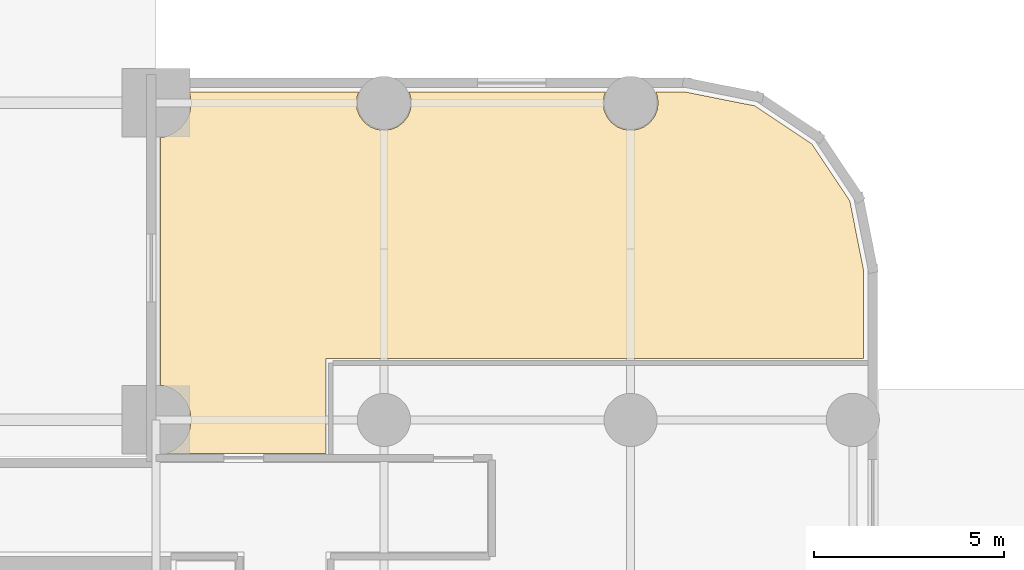
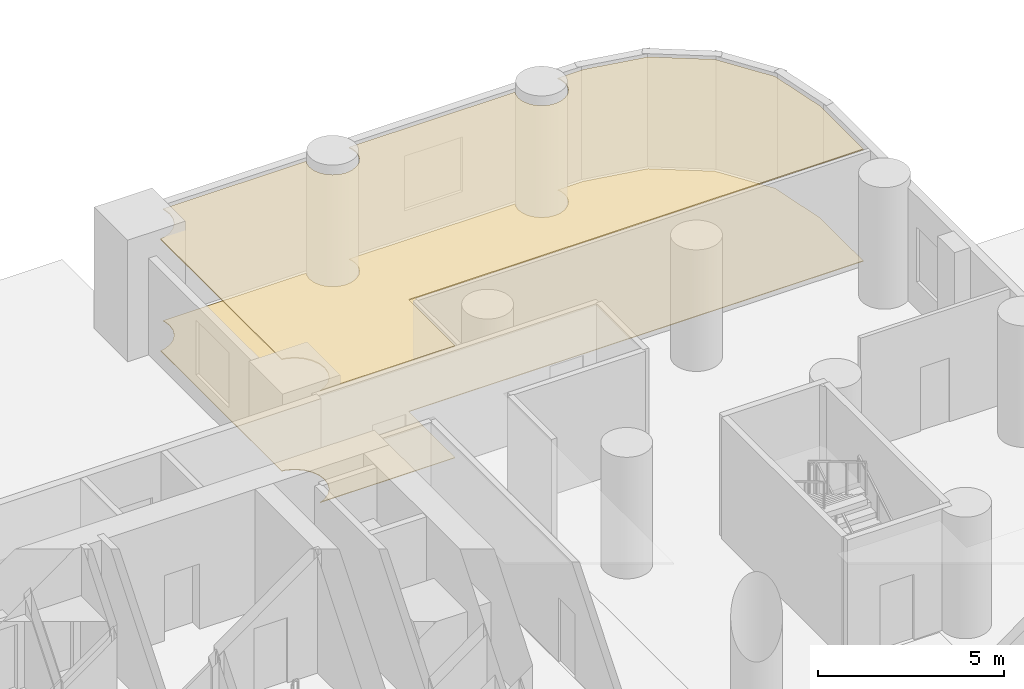
# One storey, part 9 of 10: 2 coverings.
"""IFC4 building model written with IfcOpenShell, lengths in metres."""

from ifc_helpers import new_model, si_unit, direction, frame, origin, place, context, subcontext, project, spatial, polyline, outline, extrude, material, layer, layer_set, type_object, element, save


model = new_model("IFC4")

# Units and contexts
model_context = context("Model", 3, precision=1e-05, world=origin(), true_north=direction((0.0, 1.0)))
body_context = subcontext(model_context, "Body", "Model", "MODEL_VIEW")
ifc_project = project(units=[si_unit("LENGTHUNIT", "METRE"), si_unit("AREAUNIT", "SQUARE_METRE"), si_unit("VOLUMEUNIT", "CUBIC_METRE"), si_unit("PLANEANGLEUNIT", "RADIAN"), si_unit("MASSUNIT", "GRAM", prefix="KILO")], contexts=[model_context])

# Site, building, storey
site_placement = place(None, origin())
site = spatial("IfcSite", under=ifc_project, at=site_placement, CompositionType="ELEMENT")
building_placement = place(site_placement, origin())
building = spatial("IfcBuilding", under=site, at=building_placement, Name="Veldorim Arch Residences", CompositionType="ELEMENT")
storey_placement = place(building_placement, origin())
storey = spatial("IfcBuildingStorey", under=building, at=storey_placement, Name="L00", CompositionType="ELEMENT", Elevation=0.0)

# Coverings
ifc_material_1 = material(Name="Acoustic Gypsum & Mineral Fibre", Category="gypsum")
ifc_layer_1 = layer(ifc_material_1, 0.034912109375, Name="Perforated Acoustic Mineral-Fibre Ceiling 35")
ifc_layer_set_1 = layer_set([ifc_layer_1], Name="Acoustic Gypsum & Mineral Fibre")
covering_type_1 = type_object("IfcCoveringType", Name="Perforated Acoustic Mineral-Fibre Ceiling 35", PredefinedType="CEILING", material=ifc_layer_set_1)
covering_1_placement = place(storey_placement, frame((0.0, 0.0, 3.6650390625)))
element("IfcCovering", 1, at=covering_1_placement, inside=storey, type_object=covering_type_1, Name="L00 acoustic suspended ceiling 06", PredefinedType="CEILING", context=body_context, shape_type="SweptSolid", body=[
    extrude(outline(polyline([(56.76904296875, 43.27099609375), (58.268798828125, 42.268798828125), (59.27099609375, 40.76904296875), (59.6298828125, 38.963623046875), (59.6298828125, 36.6201171875), (45.47998046875, 36.6201171875), (45.47998046875, 34.1201171875), (41.27197265625, 34.1201171875), (41.46240234375, 34.198974609375), (41.654052734375, 34.345947265625), (41.801025390625, 34.53759765625), (41.8935546875, 34.760498046875), (41.925048828125, 35.0), (41.8935546875, 35.239501953125), (41.801025390625, 35.46240234375), (41.654052734375, 35.654052734375), (41.46240234375, 35.801025390625), (41.239501953125, 35.8935546875), (41.1201171875, 35.9091796875), (41.1201171875, 42.44091796875), (41.239501953125, 42.45654296875), (41.46240234375, 42.548828125), (41.654052734375, 42.69580078125), (41.801025390625, 42.887451171875), (41.8935546875, 43.110595703125), (41.925048828125, 43.35009765625), (41.8935546875, 43.58935546875), (41.876708984375, 43.6298828125), (46.337890625, 43.6298828125), (46.2998046875, 43.53759765625), (46.27490234375, 43.35009765625), (46.2998046875, 43.162353515625), (46.3720703125, 42.987548828125), (46.4873046875, 42.83740234375), (46.637451171875, 42.72216796875), (46.8125, 42.649658203125), (47.0, 42.625), (47.1875, 42.649658203125), (47.362548828125, 42.72216796875), (47.5126953125, 42.83740234375), (47.6279296875, 42.987548828125), (47.7001953125, 43.162353515625), (47.72509765625, 43.35009765625), (47.7001953125, 43.53759765625), (47.662109375, 43.6298828125), (52.837890625, 43.6298828125), (52.7998046875, 43.53759765625), (52.77490234375, 43.35009765625), (52.7998046875, 43.162353515625), (52.8720703125, 42.987548828125), (52.9873046875, 42.83740234375), (53.137451171875, 42.72216796875), (53.3125, 42.649658203125), (53.5, 42.625), (53.6875, 42.649658203125), (53.862548828125, 42.72216796875), (54.0126953125, 42.83740234375), (54.1279296875, 42.987548828125), (54.2001953125, 43.162353515625), (54.22509765625, 43.35009765625), (54.2001953125, 43.53759765625), (54.162109375, 43.6298828125), (54.963623046875, 43.6298828125), (56.76904296875, 43.27099609375)])), origin(), (0.0, 0.0, 1.0), 0.034912109375),
])
ifc_material_2 = material(Name="Porcelain Ceramic Tile", Category="ceramic")
ifc_layer_2 = layer(ifc_material_2, 0.02001953125, Name="Slip-Resistant Porcelain & Vinyl Floor Finish 20")
ifc_layer_set_2 = layer_set([ifc_layer_2], Name="Porcelain Ceramic Tile")
covering_type_2 = type_object("IfcCoveringType", Name="Slip-Resistant Porcelain & Vinyl Floor Finish 20", PredefinedType="FLOORING", material=ifc_layer_set_2)
covering_2_placement = place(storey_placement, origin())
element("IfcCovering", 2, at=covering_2_placement, inside=storey, type_object=covering_type_2, Name="L00 porcelain floor finish 06", PredefinedType="FLOORING", context=body_context, shape_type="SweptSolid", body=[
    extrude(outline(polyline([(56.76904296875, 43.27099609375), (58.268798828125, 42.268798828125), (59.27099609375, 40.76904296875), (59.6298828125, 38.963623046875), (59.6298828125, 36.6201171875), (45.47998046875, 36.6201171875), (45.47998046875, 34.1201171875), (41.27197265625, 34.1201171875), (41.46240234375, 34.198974609375), (41.654052734375, 34.345947265625), (41.801025390625, 34.53759765625), (41.8935546875, 34.760498046875), (41.925048828125, 35.0), (41.8935546875, 35.239501953125), (41.801025390625, 35.46240234375), (41.654052734375, 35.654052734375), (41.46240234375, 35.801025390625), (41.239501953125, 35.8935546875), (41.1201171875, 35.9091796875), (41.1201171875, 42.44091796875), (41.239501953125, 42.45654296875), (41.46240234375, 42.548828125), (41.654052734375, 42.69580078125), (41.801025390625, 42.887451171875), (41.8935546875, 43.110595703125), (41.925048828125, 43.35009765625), (41.8935546875, 43.58935546875), (41.876708984375, 43.6298828125), (46.337890625, 43.6298828125), (46.2998046875, 43.53759765625), (46.27490234375, 43.35009765625), (46.2998046875, 43.162353515625), (46.3720703125, 42.987548828125), (46.4873046875, 42.83740234375), (46.637451171875, 42.72216796875), (46.8125, 42.649658203125), (47.0, 42.625), (47.1875, 42.649658203125), (47.362548828125, 42.72216796875), (47.5126953125, 42.83740234375), (47.6279296875, 42.987548828125), (47.7001953125, 43.162353515625), (47.72509765625, 43.35009765625), (47.7001953125, 43.53759765625), (47.662109375, 43.6298828125), (52.837890625, 43.6298828125), (52.7998046875, 43.53759765625), (52.77490234375, 43.35009765625), (52.7998046875, 43.162353515625), (52.8720703125, 42.987548828125), (52.9873046875, 42.83740234375), (53.137451171875, 42.72216796875), (53.3125, 42.649658203125), (53.5, 42.625), (53.6875, 42.649658203125), (53.862548828125, 42.72216796875), (54.0126953125, 42.83740234375), (54.1279296875, 42.987548828125), (54.2001953125, 43.162353515625), (54.22509765625, 43.35009765625), (54.2001953125, 43.53759765625), (54.162109375, 43.6298828125), (54.963623046875, 43.6298828125), (56.76904296875, 43.27099609375)])), origin(), (0.0, 0.0, 1.0), 0.02001953125),
])

save(model, "model.ifc")
